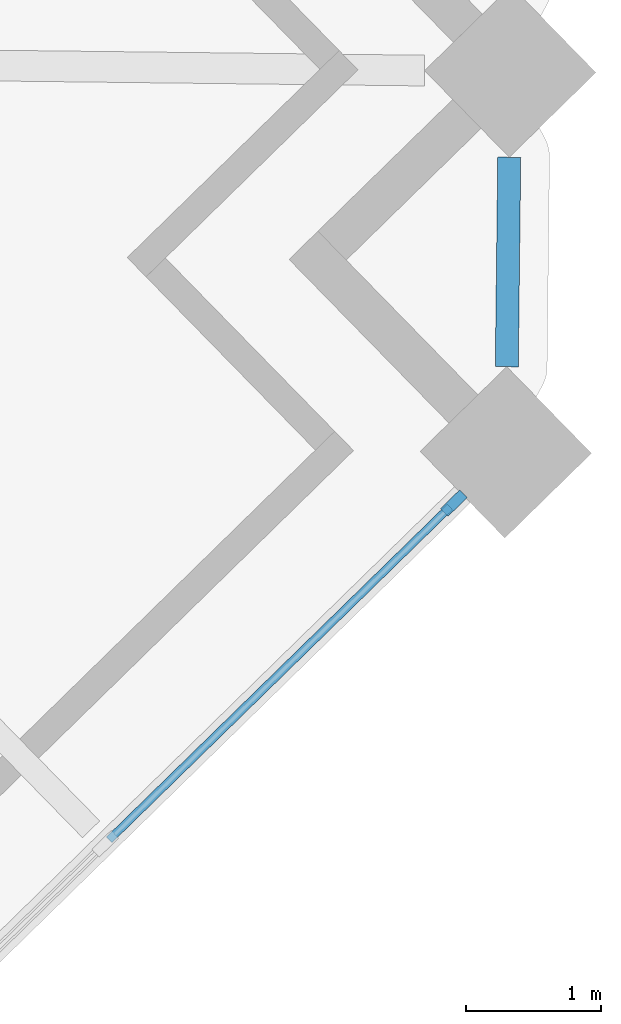
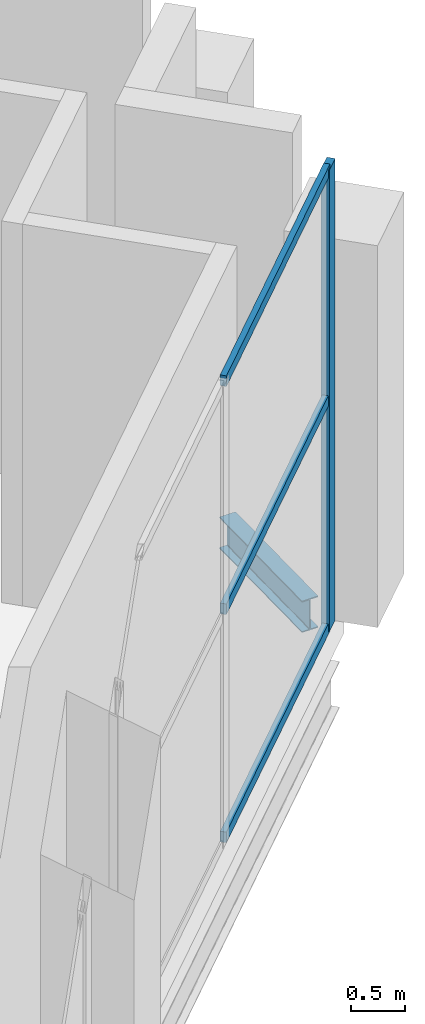
# One storey, part 5 of 20: 4 members, 1 beam, 1 element without a shape of its own.
"""IFC4 building model written with IfcOpenShell, lengths in metres."""

from ifc_helpers import new_model, si_unit, direction, frame, origin, origin_2d, place, context, subcontext, project, spatial, rectangle, i_section, extrude, material, material_profile, profile_set, type_object, element, aggregate, save


model = new_model("IFC4")

# Units and contexts
model_context = context("Model", 3, precision=1e-05, world=origin(), true_north=direction((0.0, 1.0)))
body_context = subcontext(model_context, "Body", "Model", "MODEL_VIEW")
ifc_project = project(units=[si_unit("LENGTHUNIT", "METRE"), si_unit("AREAUNIT", "SQUARE_METRE"), si_unit("VOLUMEUNIT", "CUBIC_METRE"), si_unit("PLANEANGLEUNIT", "RADIAN"), si_unit("MASSUNIT", "GRAM", prefix="KILO")], contexts=[model_context])

# Site, building, storey
site_placement = place(None, origin())
site = spatial("IfcSite", under=ifc_project, at=site_placement, CompositionType="ELEMENT")
building_placement = place(site_placement, origin())
building = spatial("IfcBuilding", under=site, at=building_placement, Name="Cantera Rosa Tower", CompositionType="ELEMENT")
storey_placement = place(building_placement, frame((0.0, 0.0, 245.0)))
storey = spatial("IfcBuildingStorey", under=building, at=storey_placement, Name="L54", CompositionType="ELEMENT", Elevation=245.0)

# Curtain wall, members
ifc_material_1 = material(Name="Anodised aluminium louvre", Category="aluminium")
curtain_wall_type = type_object("IfcCurtainWallType", Name="CW3 REFUGE LOUVRE WALL", PredefinedType="NOTDEFINED", material=ifc_material_1)
curtain_wall_placement = place(storey_placement, origin())
curtain_wall = element("IfcCurtainWall", 1, at=curtain_wall_placement, inside=storey, type_object=curtain_wall_type, Name="CW3 CW3", PredefinedType="NOTDEFINED")
ifc_material_2 = material(Name="Anodised bronze aluminium", Category="aluminium")
ifc_material_profile_1 = material_profile(ifc_material_2, rectangle(XDim=0.080078125, YDim=0.199951171875, at=origin_2d()), Name="CW-MULLION 80x200 REFUGE")
ifc_profile_set_1 = profile_set([ifc_material_profile_1], Name="Anodised bronze aluminium")
member_type_1 = type_object("IfcMemberType", Name="CW-MULLION 80x200 REFUGE", PredefinedType="MULLION", material=ifc_profile_set_1)
member_1_placement = place(storey_placement, frame((29.551513671875, -1.256103515625, 0.0), z_axis=(0.0, 0.0, 1.0), x_axis=(-0.698831540439, 0.715286290997, 0.0)))
member_1 = element("IfcMember", 2, at=member_1_placement, type_object=member_type_1, Name="CW3 mullion 3", PredefinedType="MULLION", context=body_context, shape_type="SweptSolid", body=[
    extrude(rectangle(XDim=0.080078125, YDim=0.199951171875, at=origin_2d()), origin(), (0.0, 0.0, 1.0), 5.199951171875),
])
ifc_material_3 = material(Name="Anodised bronze aluminium", Category="aluminium")
ifc_material_profile_2 = material_profile(ifc_material_3, rectangle(XDim=0.06005859375, YDim=0.1201171875, at=origin_2d()), Name="CW-TRANSOM 60x120 REFUGE")
ifc_profile_set_2 = profile_set([ifc_material_profile_2], Name="Anodised bronze aluminium")
member_type_2 = type_object("IfcMemberType", Name="CW-TRANSOM 60x120 REFUGE", PredefinedType="USERDEFINED", material=ifc_profile_set_2)
member_2_placement = place(storey_placement, frame((26.99072265625, -3.7578125, 0.030029296875), z_axis=(0.715300014303, 0.698817493727, 0.0), x_axis=(-0.698817493727, 0.715300014303, 0.0)))
member_2 = element("IfcMember", 3, at=member_2_placement, type_object=member_type_2, Name="CW3 transom 2.1", ObjectType="TRANSOM", PredefinedType="USERDEFINED", context=body_context, shape_type="SweptSolid", body=[
    extrude(rectangle(XDim=0.06005859375, YDim=0.1201171875, at=origin_2d()), origin(), (0.0, 0.0, 1.0), 3.5400390625),
])
member_3_placement = place(storey_placement, frame((26.99072265625, -3.7578125, 2.60009765625), z_axis=(0.715300014303, 0.698817493727, 0.0), x_axis=(-0.698817493727, 0.715300014303, 0.0)))
member_3 = element("IfcMember", 4, at=member_3_placement, type_object=member_type_2, Name="CW3 transom 2.2", ObjectType="TRANSOM", PredefinedType="USERDEFINED", context=body_context, shape_type="SweptSolid", body=[
    extrude(rectangle(XDim=0.06005859375, YDim=0.1201171875, at=origin_2d()), origin(), (0.0, 0.0, 1.0), 3.5400390625),
])
member_4_placement = place(storey_placement, frame((26.99072265625, -3.7578125, 5.169921875), z_axis=(0.715300014303, 0.698817493727, 0.0), x_axis=(-0.698817493727, 0.715300014303, 0.0)))
member_4 = element("IfcMember", 5, at=member_4_placement, type_object=member_type_2, Name="CW3 transom 2.3", ObjectType="TRANSOM", PredefinedType="USERDEFINED", context=body_context, shape_type="SweptSolid", body=[
    extrude(rectangle(XDim=0.06005859375, YDim=0.1201171875, at=origin_2d()), origin(), (0.0, 0.0, 1.0), 3.5400390625),
])
aggregate(curtain_wall, [member_1, member_2, member_3, member_4])

# Beam
ifc_material_4 = material(Name="Steel ASTM A992 (Fy 345 MPa)", Category="steel")
ifc_material_profile_3 = material_profile(ifc_material_4, i_section(OverallWidth=0.1708984375, OverallDepth=0.35595703125, WebThickness=0.00732421875, FlangeThickness=0.01171875, FilletRadius=0.010009765625, at=origin_2d()), Name="W360X51")
ifc_profile_set_3 = profile_set([ifc_material_profile_3], Name="Steel ASTM A992 (Fy 345 MPa)")
beam_type = type_object("IfcBeamType", Name="STEEL SPANDREL BEAM W360X51", PredefinedType="SPANDREL", material=ifc_profile_set_3)
beam_placement = place(storey_placement, frame((29.945068359375, -0.242431640625, -0.6279296875), z_axis=(0.011769429589, 0.999930737865, 0.0), x_axis=(-0.999930737865, 0.011769429589, 0.0)))
element("IfcBeam", 6, at=beam_placement, inside=storey, type_object=beam_type, Name="EB-Z4-27 L54", PredefinedType="SPANDREL", context=body_context, shape_type="SweptSolid", body=[
    extrude(i_section(OverallWidth=0.1708984375, OverallDepth=0.35595703125, WebThickness=0.00732421875, FlangeThickness=0.01171875, FilletRadius=0.010009765625, at=origin_2d()), origin(), (0.0, 0.0, 1.0), 1.5556640625),
])

save(model, "model.ifc")
